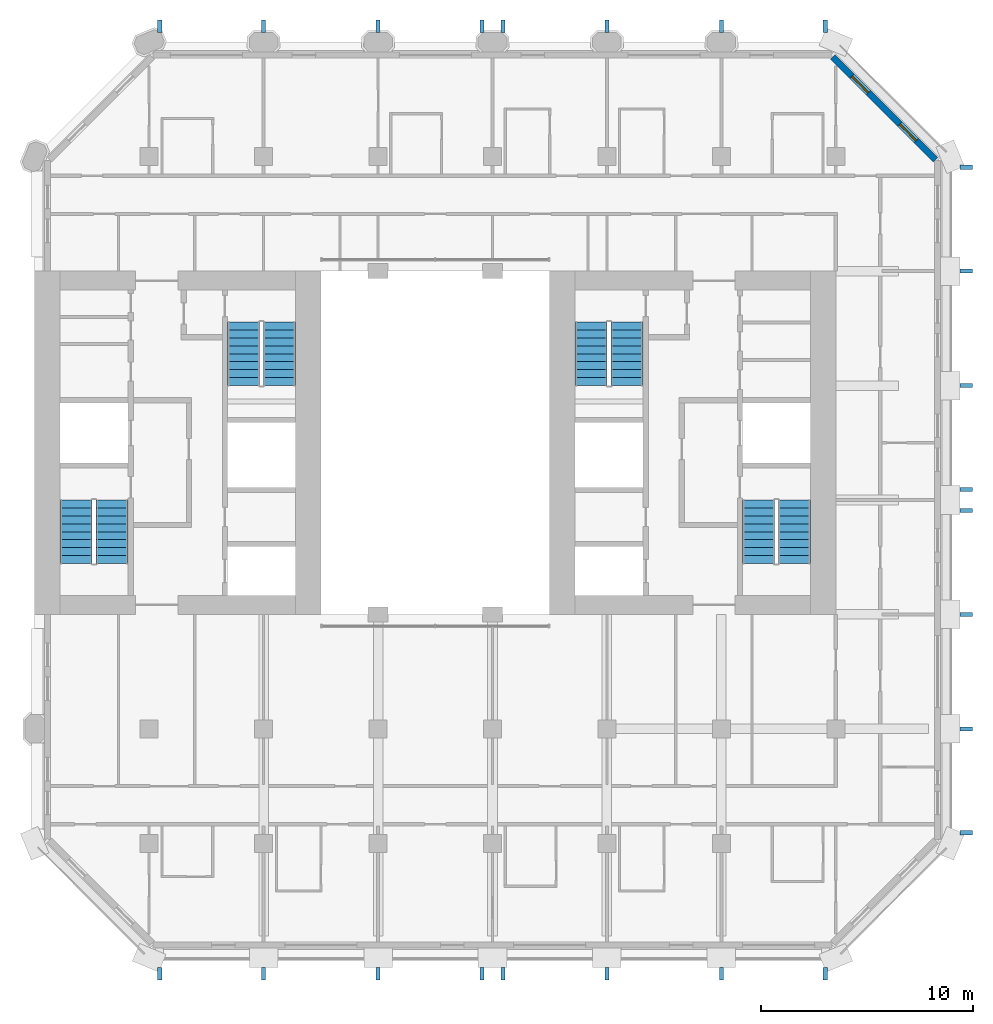
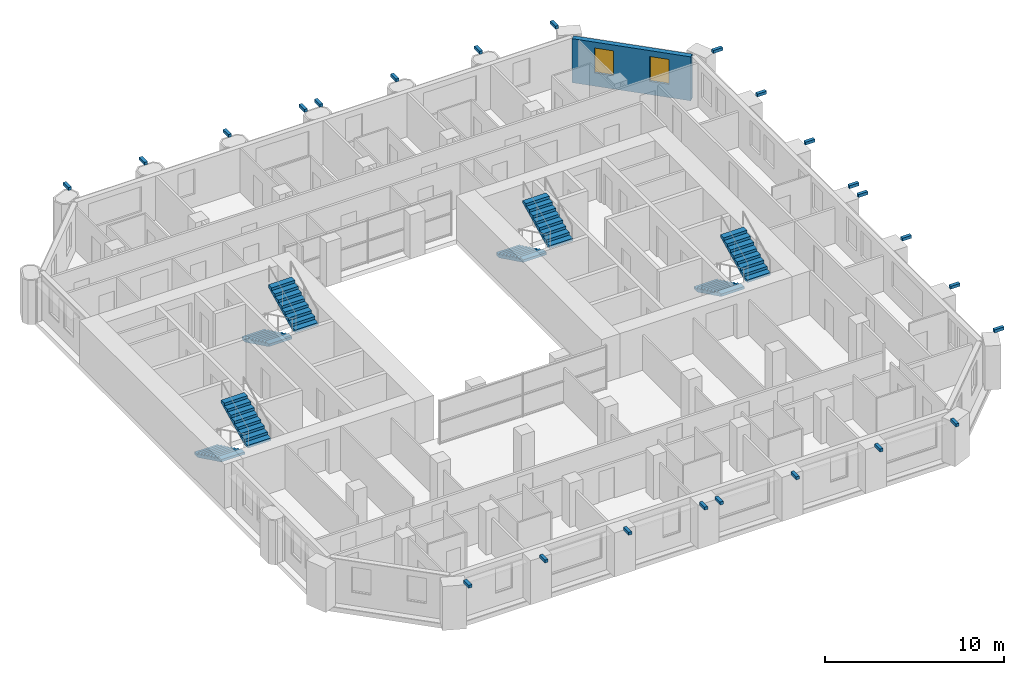
# One storey, part 11 of 13: 24 discrete accessories, 8 stair flights, 2 windows, 1 wall, 2 openings, 4 elements without a shape of their own.
"""IFC4 building model written with IfcOpenShell, lengths in metres."""

from ifc_helpers import new_model, si_unit, direction, frame, frame_2d, origin, origin_2d, place, context, subcontext, project, spatial, polyline, rectangle, outline, extrude, material, layer, layer_set, type_object, element, fill, aggregate, save


model = new_model("IFC4")

# Units and contexts
model_context = context("Model", 3, precision=1e-05, world=origin(), true_north=direction((0.0, 1.0)))
body_context = subcontext(model_context, "Body", "Model", "MODEL_VIEW")
ifc_project = project(units=[si_unit("LENGTHUNIT", "METRE"), si_unit("AREAUNIT", "SQUARE_METRE"), si_unit("VOLUMEUNIT", "CUBIC_METRE"), si_unit("PLANEANGLEUNIT", "RADIAN"), si_unit("MASSUNIT", "GRAM", prefix="KILO")], contexts=[model_context])

# Site, building, storey
site_placement = place(None, origin())
site = spatial("IfcSite", under=ifc_project, at=site_placement, CompositionType="ELEMENT")
building_placement = place(site_placement, origin())
building = spatial("IfcBuilding", under=site, at=building_placement, Name="Tabaq Tower and Sports Hall", CompositionType="ELEMENT")
storey_placement = place(building_placement, frame((0.0, 0.0, 162.699951171875)))
storey = spatial("IfcBuildingStorey", under=building, at=storey_placement, Name="L38", CompositionType="ELEMENT", Elevation=162.699951171875)

# Wall, openings, windows
ifc_material_1 = material(Name="White precast concrete C60/75", Category="concrete")
ifc_layer = layer(ifc_material_1, 0.300048828125)
ifc_layer_set = layer_set([ifc_layer], Name="White precast concrete C60/75 external wall 300")
wall_type = type_object("IfcWallType", Name="White precast concrete C60/75 external wall 300", PredefinedType="SOLIDWALL", material=ifc_layer_set)
wall_placement = place(storey_placement, frame((47.901123046875, 37.650390625, 0.0), z_axis=(0.0, 0.0, 1.0), x_axis=(-0.707106781187, 0.707106781187, 0.0)))
wall = element("IfcWall", 1, at=wall_placement, inside=storey, type_object=wall_type, Name="External Wall L38 NE", PredefinedType="SOLIDWALL", context=body_context, shape_type="SweptSolid", body=[
    extrude(rectangle(XDim=6.85986328125, YDim=0.300048828125, at=frame_2d((3.429931640625, 0.0))), origin(), (0.0, 0.0, 1.0), 3.0),
])
opening_1_placement = place(wall_placement, frame((1.27978515625, 0.0, 0.89990234375)))
opening_1 = element("IfcOpeningElement", 2, at=opening_1_placement, cuts=wall, Name="Opening W1B", PredefinedType="OPENING", context=body_context, shape_type="SweptSolid", body=[
    extrude(rectangle(XDim=1.10009765625, YDim=1.699951171875, at=frame_2d((0.550048828125, 0.85009765625))), frame((0.0, 0.16015625, 0.0), z_axis=(0.0, -1.0, 0.0), x_axis=(1.0, 0.0, 0.0)), (0.0, 0.0, 1.0), 0.320068359375),
])
opening_2_placement = place(wall_placement, frame((4.479736328125, 0.0, 0.89990234375)))
opening_2 = element("IfcOpeningElement", 3, at=opening_2_placement, cuts=wall, Name="Opening W1B", PredefinedType="OPENING", context=body_context, shape_type="SweptSolid", body=[
    extrude(rectangle(XDim=1.10009765625, YDim=1.699951171875, at=frame_2d((0.550048828125, 0.85009765625))), frame((0.0, 0.16015625, 0.0), z_axis=(0.0, -1.0, 0.0), x_axis=(1.0, 0.0, 0.0)), (0.0, 0.0, 1.0), 0.320068359375),
])
ifc_material_2 = material(Name="Aluminium framed clear glazing", Category="aluminium")
window_type = type_object("IfcWindowType", Name="Window W1B", PartitioningType="SINGLE_PANEL", PredefinedType="WINDOW", material=ifc_material_2)
window_1_placement = place(opening_1_placement, origin())
window_1 = element("IfcWindow", 4, at=window_1_placement, inside=storey, type_object=window_type, Name="Window W1B L38", OverallHeight=1.699951171875, OverallWidth=1.10009765625, PartitioningType="SINGLE_PANEL", PredefinedType="WINDOW", context=body_context, shape_type="SweptSolid", body=[
    extrude(rectangle(XDim=1.10009765625, YDim=1.699951171875, at=frame_2d((0.550048828125, 0.85009765625))), frame((0.0, 0.030029296875, 0.0), z_axis=(0.0, -1.0, 0.0), x_axis=(1.0, 0.0, 0.0)), (0.0, 0.0, 1.0), 0.06005859375),
])
fill(opening_1, window_1)
window_2_placement = place(opening_2_placement, origin())
window_2 = element("IfcWindow", 5, at=window_2_placement, inside=storey, type_object=window_type, Name="Window W1B L38", OverallHeight=1.699951171875, OverallWidth=1.10009765625, PartitioningType="SINGLE_PANEL", PredefinedType="WINDOW", context=body_context, shape_type="SweptSolid", body=[
    extrude(rectangle(XDim=1.10009765625, YDim=1.699951171875, at=frame_2d((0.550048828125, 0.85009765625))), frame((0.0, 0.030029296875, 0.0), z_axis=(0.0, -1.0, 0.0), x_axis=(1.0, 0.0, 0.0)), (0.0, 0.0, 1.0), 0.06005859375),
])
fill(opening_2, window_2)

# Stair, stair flights
ifc_material_3 = material(Name="Concrete C40/50", Category="concrete")
stair_type = type_object("IfcStairType", Name="Exit stair", PredefinedType="HALF_TURN_STAIR", material=ifc_material_3)
stair_1_placement = place(storey_placement, origin())
stair_1 = element("IfcStair", 6, at=stair_1_placement, inside=storey, type_object=stair_type, Name="L38 Exit stair ST1", PredefinedType="HALF_TURN_STAIR")
ifc_material_4 = material(Name="Concrete C40/50", Category="concrete")
stair_flight_type = type_object("IfcStairFlightType", Name="Exit stair flight", PredefinedType="STRAIGHT", material=ifc_material_4)
stair_flight_1_placement = place(storey_placement, frame((7.35009765625, 21.60009765625, 0.0), z_axis=(0.0, 0.0, 1.0), x_axis=(0.0, -1.0, 0.0)))
stair_flight_1 = element("IfcStairFlight", 7, at=stair_flight_1_placement, type_object=stair_flight_type, Name="ST1 flight 1", NumberOfRisers=9, NumberOfTreads=8, PredefinedType="STRAIGHT", RiserHeight=0.183333333, TreadLength=0.375, context=body_context, shape_type="SweptSolid", body=[
    extrude(outline(polyline([(0.0, 0.0), (0.0, 0.183349609375), (0.375, 0.183349609375), (0.375, 0.36669921875), (0.75, 0.36669921875), (0.75, 0.550048828125), (1.125, 0.550048828125), (1.125, 0.7333984375), (1.5, 0.7333984375), (1.5, 0.916748046875), (1.875, 0.916748046875), (1.875, 1.10009765625), (2.25, 1.10009765625), (2.25, 1.283447265625), (2.625, 1.283447265625), (2.625, 1.466552734375), (3.0, 1.466552734375), (3.0, 1.64990234375), (3.0, 1.2998046875), (0.34130859375, 0.0), (0.0, 0.0)])), frame((0.0, 0.75, 0.0), z_axis=(0.0, -1.0, 0.0), x_axis=(1.0, 0.0, 0.0)), (0.0, 0.0, 1.0), 1.5),
])
stair_flight_2_placement = place(storey_placement, frame((9.050048828125, 18.60009765625, 1.650146484375), z_axis=(0.0, 0.0, 1.0), x_axis=(0.0, 1.0, 0.0)))
stair_flight_2 = element("IfcStairFlight", 8, at=stair_flight_2_placement, type_object=stair_flight_type, Name="ST1 flight 2", NumberOfRisers=9, NumberOfTreads=8, PredefinedType="STRAIGHT", RiserHeight=0.183333333, TreadLength=0.375, context=body_context, shape_type="SweptSolid", body=[
    extrude(outline(polyline([(0.0, 0.0), (0.0, 0.183349609375), (0.375, 0.183349609375), (0.375, 0.36669921875), (0.75, 0.36669921875), (0.75, 0.550048828125), (1.125, 0.550048828125), (1.125, 0.7333984375), (1.5, 0.7333984375), (1.5, 0.916748046875), (1.875, 0.916748046875), (1.875, 1.10009765625), (2.25, 1.10009765625), (2.25, 1.283447265625), (2.625, 1.283447265625), (2.625, 1.466552734375), (3.0, 1.466552734375), (3.0, 1.64990234375), (3.0, 1.2998046875), (0.34130859375, 0.0), (0.0, 0.0)])), frame((0.0, 0.75, 0.0), z_axis=(0.0, -1.0, 0.0), x_axis=(1.0, 0.0, 0.0)), (0.0, 0.0, 1.0), 1.5),
])
aggregate(stair_1, [stair_flight_1, stair_flight_2])

stair_2_placement = place(storey_placement, origin())
stair_2 = element("IfcStair", 9, at=stair_2_placement, inside=storey, type_object=stair_type, Name="L38 Exit stair ST2", PredefinedType="HALF_TURN_STAIR")
stair_flight_3_placement = place(storey_placement, frame((15.25, 30.0, 0.0), z_axis=(0.0, 0.0, 1.0), x_axis=(0.0, -1.0, 0.0)))
stair_flight_3 = element("IfcStairFlight", 10, at=stair_flight_3_placement, type_object=stair_flight_type, Name="ST2 flight 1", NumberOfRisers=9, NumberOfTreads=8, PredefinedType="STRAIGHT", RiserHeight=0.183333333, TreadLength=0.375, context=body_context, shape_type="SweptSolid", body=[
    extrude(outline(polyline([(0.0, 0.0), (0.0, 0.183349609375), (0.375, 0.183349609375), (0.375, 0.36669921875), (0.75, 0.36669921875), (0.75, 0.550048828125), (1.125, 0.550048828125), (1.125, 0.7333984375), (1.5, 0.7333984375), (1.5, 0.916748046875), (1.875, 0.916748046875), (1.875, 1.10009765625), (2.25, 1.10009765625), (2.25, 1.283447265625), (2.625, 1.283447265625), (2.625, 1.466552734375), (3.0, 1.466552734375), (3.0, 1.64990234375), (3.0, 1.2998046875), (0.34130859375, 0.0), (0.0, 0.0)])), frame((0.0, 0.75, 0.0), z_axis=(0.0, -1.0, 0.0), x_axis=(1.0, 0.0, 0.0)), (0.0, 0.0, 1.0), 1.5),
])
stair_flight_4_placement = place(storey_placement, frame((16.949951171875, 27.0, 1.650146484375), z_axis=(0.0, 0.0, 1.0), x_axis=(0.0, 1.0, 0.0)))
stair_flight_4 = element("IfcStairFlight", 11, at=stair_flight_4_placement, type_object=stair_flight_type, Name="ST2 flight 2", NumberOfRisers=9, NumberOfTreads=8, PredefinedType="STRAIGHT", RiserHeight=0.183333333, TreadLength=0.375, context=body_context, shape_type="SweptSolid", body=[
    extrude(outline(polyline([(0.0, 0.0), (0.0, 0.183349609375), (0.375, 0.183349609375), (0.375, 0.36669921875), (0.75, 0.36669921875), (0.75, 0.550048828125), (1.125, 0.550048828125), (1.125, 0.7333984375), (1.5, 0.7333984375), (1.5, 0.916748046875), (1.875, 0.916748046875), (1.875, 1.10009765625), (2.25, 1.10009765625), (2.25, 1.283447265625), (2.625, 1.283447265625), (2.625, 1.466552734375), (3.0, 1.466552734375), (3.0, 1.64990234375), (3.0, 1.2998046875), (0.34130859375, 0.0), (0.0, 0.0)])), frame((0.0, 0.75, 0.0), z_axis=(0.0, -1.0, 0.0), x_axis=(1.0, 0.0, 0.0)), (0.0, 0.0, 1.0), 1.5),
])
aggregate(stair_2, [stair_flight_3, stair_flight_4])

stair_3_placement = place(storey_placement, origin())
stair_3 = element("IfcStair", 12, at=stair_3_placement, inside=storey, type_object=stair_type, Name="L38 Exit stair ST3", PredefinedType="HALF_TURN_STAIR")
stair_flight_5_placement = place(storey_placement, frame((39.550048828125, 21.60009765625, 0.0), z_axis=(0.0, 0.0, 1.0), x_axis=(0.0, -1.0, 0.0)))
stair_flight_5 = element("IfcStairFlight", 13, at=stair_flight_5_placement, type_object=stair_flight_type, Name="ST3 flight 1", NumberOfRisers=9, NumberOfTreads=8, PredefinedType="STRAIGHT", RiserHeight=0.183333333, TreadLength=0.375, context=body_context, shape_type="SweptSolid", body=[
    extrude(outline(polyline([(0.0, 0.0), (0.0, 0.183349609375), (0.375, 0.183349609375), (0.375, 0.36669921875), (0.75, 0.36669921875), (0.75, 0.550048828125), (1.125, 0.550048828125), (1.125, 0.7333984375), (1.5, 0.7333984375), (1.5, 0.916748046875), (1.875, 0.916748046875), (1.875, 1.10009765625), (2.25, 1.10009765625), (2.25, 1.283447265625), (2.625, 1.283447265625), (2.625, 1.466552734375), (3.0, 1.466552734375), (3.0, 1.64990234375), (3.0, 1.2998046875), (0.34130859375, 0.0), (0.0, 0.0)])), frame((0.0, 0.75, 0.0), z_axis=(0.0, -1.0, 0.0), x_axis=(1.0, 0.0, 0.0)), (0.0, 0.0, 1.0), 1.5),
])
stair_flight_6_placement = place(storey_placement, frame((41.25, 18.60009765625, 1.650146484375), z_axis=(0.0, 0.0, 1.0), x_axis=(0.0, 1.0, 0.0)))
stair_flight_6 = element("IfcStairFlight", 14, at=stair_flight_6_placement, type_object=stair_flight_type, Name="ST3 flight 2", NumberOfRisers=9, NumberOfTreads=8, PredefinedType="STRAIGHT", RiserHeight=0.183333333, TreadLength=0.375, context=body_context, shape_type="SweptSolid", body=[
    extrude(outline(polyline([(0.0, 0.0), (0.0, 0.183349609375), (0.375, 0.183349609375), (0.375, 0.36669921875), (0.75, 0.36669921875), (0.75, 0.550048828125), (1.125, 0.550048828125), (1.125, 0.7333984375), (1.5, 0.7333984375), (1.5, 0.916748046875), (1.875, 0.916748046875), (1.875, 1.10009765625), (2.25, 1.10009765625), (2.25, 1.283447265625), (2.625, 1.283447265625), (2.625, 1.466552734375), (3.0, 1.466552734375), (3.0, 1.64990234375), (3.0, 1.2998046875), (0.34130859375, 0.0), (0.0, 0.0)])), frame((0.0, 0.75, 0.0), z_axis=(0.0, -1.0, 0.0), x_axis=(1.0, 0.0, 0.0)), (0.0, 0.0, 1.0), 1.5),
])
aggregate(stair_3, [stair_flight_5, stair_flight_6])

stair_4_placement = place(storey_placement, origin())
stair_4 = element("IfcStair", 15, at=stair_4_placement, inside=storey, type_object=stair_type, Name="L38 Exit stair ST4", PredefinedType="HALF_TURN_STAIR")
stair_flight_7_placement = place(storey_placement, frame((31.64990234375, 30.0, 0.0), z_axis=(0.0, 0.0, 1.0), x_axis=(0.0, -1.0, 0.0)))
stair_flight_7 = element("IfcStairFlight", 16, at=stair_flight_7_placement, type_object=stair_flight_type, Name="ST4 flight 1", NumberOfRisers=9, NumberOfTreads=8, PredefinedType="STRAIGHT", RiserHeight=0.183333333, TreadLength=0.375, context=body_context, shape_type="SweptSolid", body=[
    extrude(outline(polyline([(0.0, 0.0), (0.0, 0.183349609375), (0.375, 0.183349609375), (0.375, 0.36669921875), (0.75, 0.36669921875), (0.75, 0.550048828125), (1.125, 0.550048828125), (1.125, 0.7333984375), (1.5, 0.7333984375), (1.5, 0.916748046875), (1.875, 0.916748046875), (1.875, 1.10009765625), (2.25, 1.10009765625), (2.25, 1.283447265625), (2.625, 1.283447265625), (2.625, 1.466552734375), (3.0, 1.466552734375), (3.0, 1.64990234375), (3.0, 1.2998046875), (0.34130859375, 0.0), (0.0, 0.0)])), frame((0.0, 0.75, 0.0), z_axis=(0.0, -1.0, 0.0), x_axis=(1.0, 0.0, 0.0)), (0.0, 0.0, 1.0), 1.5),
])
stair_flight_8_placement = place(storey_placement, frame((33.35009765625, 27.0, 1.650146484375), z_axis=(0.0, 0.0, 1.0), x_axis=(0.0, 1.0, 0.0)))
stair_flight_8 = element("IfcStairFlight", 17, at=stair_flight_8_placement, type_object=stair_flight_type, Name="ST4 flight 2", NumberOfRisers=9, NumberOfTreads=8, PredefinedType="STRAIGHT", RiserHeight=0.183333333, TreadLength=0.375, context=body_context, shape_type="SweptSolid", body=[
    extrude(outline(polyline([(0.0, 0.0), (0.0, 0.183349609375), (0.375, 0.183349609375), (0.375, 0.36669921875), (0.75, 0.36669921875), (0.75, 0.550048828125), (1.125, 0.550048828125), (1.125, 0.7333984375), (1.5, 0.7333984375), (1.5, 0.916748046875), (1.875, 0.916748046875), (1.875, 1.10009765625), (2.25, 1.10009765625), (2.25, 1.283447265625), (2.625, 1.283447265625), (2.625, 1.466552734375), (3.0, 1.466552734375), (3.0, 1.64990234375), (3.0, 1.2998046875), (0.34130859375, 0.0), (0.0, 0.0)])), frame((0.0, 0.75, 0.0), z_axis=(0.0, -1.0, 0.0), x_axis=(1.0, 0.0, 0.0)), (0.0, 0.0, 1.0), 1.5),
])
aggregate(stair_4, [stair_flight_7, stair_flight_8])

# Discrete accessories
for number, where, z_axis, x_axis, name in (
    (18, (11.300048828125, -0.75, 3.0), (0.0, 0.0, 1.0), (0.0, -1.0, 0.0), "Stainless steel bracket"),
    (19, (16.199951171875, -0.75, 3.0), (0.0, 0.0, 1.0), (0.0, -1.0, 0.0), "Stainless steel bracket"),
    (20, (21.60009765625, -0.75, 3.0), (0.0, 0.0, 1.0), (0.0, -1.0, 0.0), "Stainless steel bracket"),
    (21, (26.5, -0.75, 3.0), (0.0, 0.0, 1.0), (0.0, -1.0, 0.0), "Stainless steel bracket"),
    (22, (27.5, -0.75, 3.0), (0.0, 0.0, 1.0), (0.0, -1.0, 0.0), "Stainless steel bracket"),
    (23, (32.39990234375, -0.75, 3.0), (0.0, 0.0, 1.0), (0.0, -1.0, 0.0), "Stainless steel bracket"),
    (24, (37.800048828125, -0.75, 3.0), (0.0, 0.0, 1.0), (0.0, -1.0, 0.0), "Stainless steel bracket"),
    (25, (42.699951171875, -0.75, 3.0), (0.0, 0.0, 1.0), (0.0, -1.0, 0.0), "Stainless steel bracket"),
    (26, (49.35009765625, 5.89990234375, 3.0), (0.0, 0.0, 1.0), (1.0, 0.0, 0.0), "Stainless steel bracket"),
    (27, (49.35009765625, 10.800048828125, 3.0), (0.0, 0.0, 1.0), (1.0, 0.0, 0.0), "Stainless steel bracket"),
    (28, (49.35009765625, 16.199951171875, 3.0), (0.0, 0.0, 1.0), (1.0, 0.0, 0.0), "Stainless steel bracket"),
    (29, (49.35009765625, 21.10009765625, 3.0), (0.0, 0.0, 1.0), (1.0, 0.0, 0.0), "Stainless steel bracket"),
    (30, (49.35009765625, 22.10009765625, 3.0), (0.0, 0.0, 1.0), (1.0, 0.0, 0.0), "Stainless steel bracket"),
    (31, (49.35009765625, 27.0, 3.0), (0.0, 0.0, 1.0), (1.0, 0.0, 0.0), "Stainless steel bracket"),
    (32, (49.35009765625, 32.39990234375, 3.0), (0.0, 0.0, 1.0), (1.0, 0.0, 0.0), "Stainless steel bracket"),
    (33, (49.35009765625, 37.300048828125, 3.0), (0.0, 0.0, 1.0), (1.0, 0.0, 0.0), "Stainless steel bracket"),
    (34, (42.699951171875, 43.949951171875, 3.0), (0.0, 0.0, 1.0), (0.0, 1.0, 0.0), "Stainless steel bracket"),
    (35, (37.800048828125, 43.949951171875, 3.0), (0.0, 0.0, 1.0), (0.0, 1.0, 0.0), "Stainless steel bracket"),
    (36, (32.39990234375, 43.949951171875, 3.0), (0.0, 0.0, 1.0), (0.0, 1.0, 0.0), "Stainless steel bracket"),
    (37, (27.5, 43.949951171875, 3.0), (0.0, 0.0, 1.0), (0.0, 1.0, 0.0), "Stainless steel bracket"),
    (38, (26.5, 43.949951171875, 3.0), (0.0, 0.0, 1.0), (0.0, 1.0, 0.0), "Stainless steel bracket"),
    (39, (21.60009765625, 43.949951171875, 3.0), (0.0, 0.0, 1.0), (0.0, 1.0, 0.0), "Stainless steel bracket"),
    (40, (16.199951171875, 43.949951171875, 3.0), (0.0, 0.0, 1.0), (0.0, 1.0, 0.0), "Stainless steel bracket"),
    (41, (11.300048828125, 43.949951171875, 3.0), (0.0, 0.0, 1.0), (0.0, 1.0, 0.0), "Stainless steel bracket"),
):
    element("IfcDiscreteAccessory", number, at=place(storey_placement, frame(where, z_axis=z_axis, x_axis=x_axis)), inside=storey, Name=name, PredefinedType="BRACKET", context=body_context, shape_type="SweptSolid", body=[
        extrude(rectangle(XDim=0.60009765625, YDim=0.199951171875, at=origin_2d()), origin(), (0.0, 0.0, 1.0), 0.199951171875),
    ])

save(model, "model.ifc")
